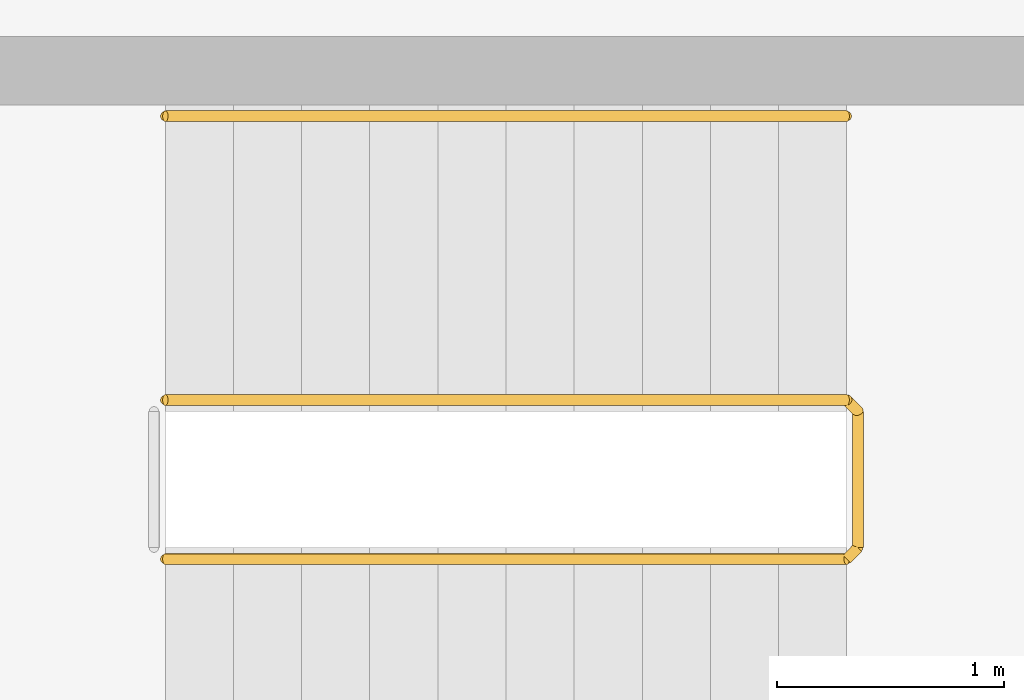
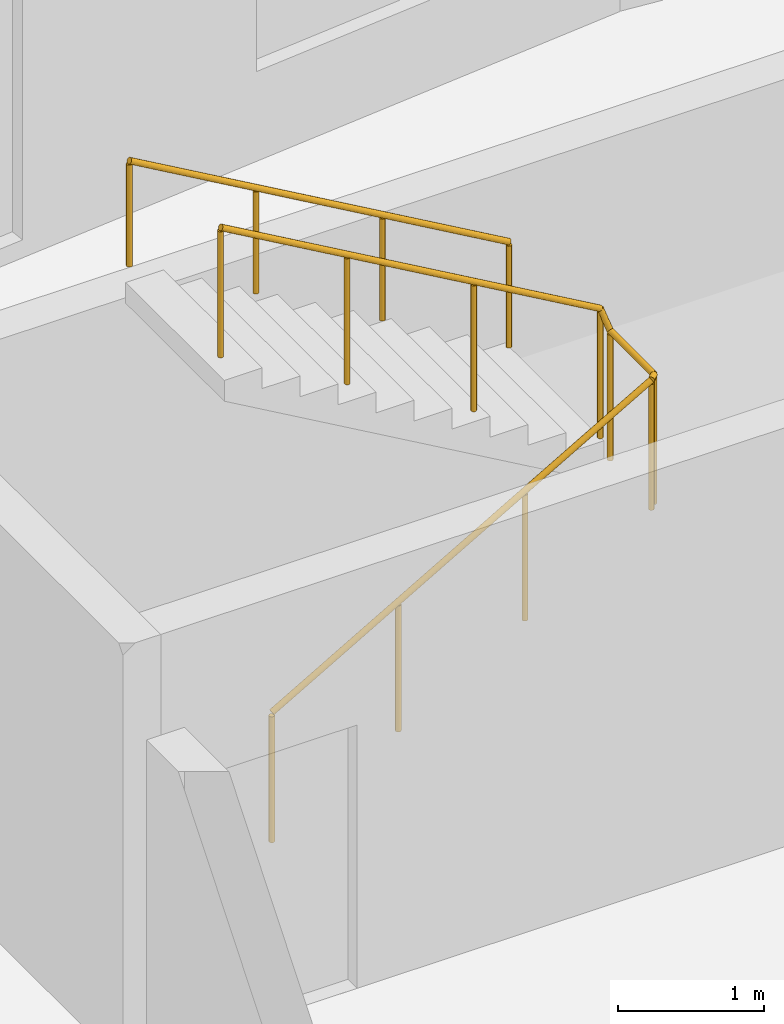
# One storey, part 10 of 10: 2 railings.
"""IFC4 building model written with IfcOpenShell, lengths in metres."""

import ifcopenshell
import ifcopenshell.guid

model = None  # the IFC model being written
_history = None  # IfcOwnerHistory: only IFC2X3 demands one
_inside = {}  # id of a spatial element -> (the spatial element, [elements in it])
_under = {}  # id of a project, library or spatial element -> (it, [spatial elements below it])
_declared = {}  # id of a project -> (the project, [libraries it declares])
_typed = {}  # id of a type object -> (the type object, [elements of that type])
_made_of = {}  # id of a material, layer set ... -> (it, [elements and type objects made of it])


def new_model(schema):
    """Start an empty IFC model of exactly this schema.

    Asked for "IFC4X3", IfcOpenShell would pick the latest addendum, in which some entities
    have other attributes; the version numbers below select the first issue.
    IFC2X3 requires an IfcOwnerHistory on every rooted entity: one is made here for all.
    """
    global model, _history
    if schema == "IFC4X3":
        model = ifcopenshell.file(schema_version=(4, 3, 0, 0))
    else:
        model = ifcopenshell.file(schema=schema)
    _inside.clear()
    _under.clear()
    _declared.clear()
    _typed.clear()
    _made_of.clear()
    _history = None
    if model.schema == "IFC2X3":
        org = make("IfcOrganization", Name="unknown")
        user = make(
            "IfcPersonAndOrganization",
            ThePerson=make("IfcPerson", FamilyName="unknown"),
            TheOrganization=org,
        )
        app = make(
            "IfcApplication",
            ApplicationDeveloper=org,
            Version="unknown",
            ApplicationFullName="unknown",
            ApplicationIdentifier="unknown",
        )
        _history = make(
            "IfcOwnerHistory",
            OwningUser=user,
            OwningApplication=app,
            ChangeAction="ADDED",
            CreationDate=0,
        )
    return model


def make(cls, **values):
    """One entity of the class cls with the attributes given. An attribute that is None is left unset."""
    return model.create_entity(
        cls, **{name: value for name, value in values.items() if value is not None}
    )


def rooted(cls, **values):
    """An entity with a GlobalId (a new one), such as an element, a storey or a relation."""
    return make(cls, GlobalId=ifcopenshell.guid.new(), OwnerHistory=_history, **values)


def si_unit(unit_type, name, prefix=None):
    """IfcSIUnit, for example si_unit("LENGTHUNIT", "METRE", prefix="MILLI")."""
    return make("IfcSIUnit", UnitType=unit_type, Prefix=prefix, Name=name)


def assignment(units):
    """IfcUnitAssignment: the units of a project."""
    return None if units is None else make("IfcUnitAssignment", Units=units)


def point(xyz):
    """IfcCartesianPoint."""
    return None if xyz is None else make("IfcCartesianPoint", Coordinates=xyz)


def direction(xyz):
    """IfcDirection."""
    return None if xyz is None else make("IfcDirection", DirectionRatios=xyz)


def frame(location, z_axis=None, x_axis=None):
    """IfcAxis2Placement3D, a coordinate frame: its origin and axes. An axis left out is left unset."""
    return make(
        "IfcAxis2Placement3D",
        Location=point(location),
        Axis=direction(z_axis),
        RefDirection=direction(x_axis),
    )


def frame_2d(location, x_axis=None):
    """IfcAxis2Placement2D, a coordinate frame in the plane: its origin and x axis."""
    return make(
        "IfcAxis2Placement2D", Location=point(location), RefDirection=direction(x_axis)
    )


def origin():
    """The frame at (0, 0, 0) with its axes left unset."""
    return frame((0.0, 0.0, 0.0))


def origin_2d():
    """The frame at (0, 0) in the plane with its x axis left unset."""
    return frame_2d((0.0, 0.0))


def place(relative_to, where):
    """IfcLocalPlacement: puts the frame where relative to a parent placement (None: the world)."""
    return make(
        "IfcLocalPlacement", PlacementRelTo=relative_to, RelativePlacement=where
    )


def context(
    kind, dimensions, precision=None, world=None, true_north=None, identifier=None
):
    """IfcGeometricRepresentationContext, for example the 3D "Model" context."""
    return make(
        "IfcGeometricRepresentationContext",
        ContextIdentifier=identifier,
        ContextType=kind,
        CoordinateSpaceDimension=dimensions,
        Precision=precision,
        WorldCoordinateSystem=world,
        TrueNorth=true_north,
    )


def subcontext(parent, identifier, kind, view, scale=None):
    """IfcGeometricRepresentationSubContext, for example "Body" below "Model"."""
    return make(
        "IfcGeometricRepresentationSubContext",
        ContextIdentifier=identifier,
        ContextType=kind,
        ParentContext=parent,
        TargetScale=scale,
        TargetView=view,
    )


def project(units=None, contexts=None):
    """IfcProject with its units and contexts."""
    return rooted(
        "IfcProject",
        Name="project",
        RepresentationContexts=contexts,
        UnitsInContext=assignment(units),
    )


def spatial(cls, under=None, at=None, **own):
    """A site, building, storey or space (cls), placed at a placement, below another one or the project."""
    s = rooted(cls, ObjectPlacement=at, **own)
    if under is not None:
        _under.setdefault(under.id(), (under, []))[1].append(s)
    return s


def profile(cls, at=None, kind="AREA", **sizes):
    """A parametric profile (cls). Its sizes go by their IFC names, for example OverallWidth=200.0."""
    return make(cls, ProfileType=kind, Position=at, **sizes)


def circle(**sizes):
    """IfcCircleProfileDef."""
    return profile("IfcCircleProfileDef", **sizes)


def extrude(swept, where, along, depth):
    """IfcExtrudedAreaSolid: the profile swept, set in the frame where, extruded along a direction by depth."""
    return make(
        "IfcExtrudedAreaSolid",
        SweptArea=swept,
        Position=where,
        ExtrudedDirection=direction(along),
        Depth=depth,
    )


def shape(context_of_items, identifier, shape_type, items):
    """IfcShapeRepresentation: the items that make up one representation, for example the "Body"."""
    return make(
        "IfcShapeRepresentation",
        ContextOfItems=context_of_items,
        RepresentationIdentifier=identifier,
        RepresentationType=shape_type,
        Items=items,
    )


def material(Name=None, Category=None):
    """IfcMaterial."""
    return make("IfcMaterial", Name=Name, Category=Category)


def made_of(thing, what):
    """Note that an element or type object is made of a material, layer set ...; save() writes the relation."""
    if what is not None:
        _made_of.setdefault(what.id(), (what, []))[1].append(thing)
    return thing


def type_object(cls, material=None, **own):
    """A type object (cls), such as IfcWallType, which elements share."""
    return made_of(rooted(cls, **own), material)


def element(
    cls,
    number,
    at=None,
    inside=None,
    cuts=None,
    type_object=None,
    material=None,
    context=None,
    identifier="Body",
    shape_type=None,
    held_by="IfcProductDefinitionShape",
    body=None,
    shapes=None,
    **own,
):
    """One element of the class cls, such as IfcWall. Its Tag is "e" and its number.

    at: its placement. inside: the storey or other place that contains it. cuts: it is an
    opening in that element (IfcRelVoidsElement). A single representation is given by context,
    identifier, shape_type and body (its items); several are given by shapes. held_by: the class
    of the entity that holds the representations. save() writes the other relations.
    """
    e = rooted(cls, Tag="e%d" % number, ObjectPlacement=at, **own)
    if body is not None:
        shapes = [shape(context, identifier, shape_type, body)]
    if shapes is not None:
        e.Representation = make(held_by, Representations=shapes)
    if inside is not None:
        _inside.setdefault(inside.id(), (inside, []))[1].append(e)
    if cuts is not None:
        rooted(
            "IfcRelVoidsElement", RelatingBuildingElement=cuts, RelatedOpeningElement=e
        )
    if type_object is not None:
        _typed.setdefault(type_object.id(), (type_object, []))[1].append(e)
    return made_of(e, material)


def aggregate(whole, parts):
    """IfcRelAggregates: a whole, such as a stair, and the parts it consists of."""
    return rooted("IfcRelAggregates", RelatingObject=whole, RelatedObjects=parts)


def save(model, path):
    """Write the relations noted so far, then the file.

    IfcRelAggregates (storeys below a building ...), IfcRelContainedInSpatialStructure (elements
    in a storey), IfcRelDefinesByType, IfcRelAssociatesMaterial and IfcRelDeclares: one each for
    every whole, place, type object, material and project.
    """
    for whole, parts in _under.values():
        aggregate(whole, parts)
    for where, things in _inside.values():
        rooted(
            "IfcRelContainedInSpatialStructure",
            RelatedElements=things,
            RelatingStructure=where,
        )
    for kind, things in _typed.values():
        rooted("IfcRelDefinesByType", RelatedObjects=things, RelatingType=kind)
    for what, things in _made_of.values():
        rooted("IfcRelAssociatesMaterial", RelatedObjects=things, RelatingMaterial=what)
    for by, libraries in _declared.values():
        rooted("IfcRelDeclares", RelatingContext=by, RelatedDefinitions=libraries)
    model.write(path)


model = new_model("IFC4")

# Units and contexts
model_context = context("Model", 3, precision=1e-05, world=origin(), true_north=direction((0.0, 1.0)))
body_context = subcontext(model_context, "Body", "Model", "MODEL_VIEW")
ifc_project = project(units=[si_unit("LENGTHUNIT", "METRE"), si_unit("AREAUNIT", "SQUARE_METRE"), si_unit("VOLUMEUNIT", "CUBIC_METRE"), si_unit("PLANEANGLEUNIT", "RADIAN"), si_unit("MASSUNIT", "GRAM", prefix="KILO")], contexts=[model_context])

# Site, building, storey
site_placement = place(None, origin())
site = spatial("IfcSite", under=ifc_project, at=site_placement, CompositionType="ELEMENT")
building_placement = place(site_placement, origin())
building = spatial("IfcBuilding", under=site, at=building_placement, Name="Brondeck Convention Tower", CompositionType="ELEMENT")
storey_placement = place(building_placement, frame((0.0, 0.0, 158.60009765625)))
storey = spatial("IfcBuildingStorey", under=building, at=storey_placement, Name="L38", CompositionType="ELEMENT", Elevation=158.60009765625)

# Railings
ifc_material = material(Name="Steel S355", Category="steel")
railing_type_1 = type_object("IfcRailingType", Name="Stair guard 1100", PredefinedType="GUARDRAIL", material=ifc_material)
railing_1_placement = place(storey_placement, frame((37.85009765625, 55.449951171875, 0.172607421875)))
element("IfcRailing", 1, at=railing_1_placement, inside=storey, type_object=railing_type_1, Name="L38 ST-AE stair guard 1", PredefinedType="GUARDRAIL", context=body_context, shape_type="SweptSolid", body=[
    extrude(circle(Radius=0.02392578125, at=origin_2d()), frame((0.0, 0.0, 1.076171875), z_axis=(0.866619684472, 0.0, 0.498969260062), x_axis=(0.0, 1.0, 0.0)), (0.0, 0.0, 1.0), 3.461669921875),
    extrude(circle(Radius=0.02392578125, at=origin_2d()), frame((3.0, 0.0, 2.80322265625), z_axis=(0.705375805398, 0.708833529934, 0.0), x_axis=(-0.708833529934, 0.705375805398, 0.0)), (0.0, 0.0, 1.0), 0.070556640625),
    extrude(circle(Radius=0.02392578125, at=origin_2d()), frame((3.0498046875, 0.050048828125, 2.80322265625), z_axis=(0.0, 1.0, 0.0), x_axis=(-1.0, 0.0, 0.0)), (0.0, 0.0, 1.0), 0.60009765625),
    extrude(circle(Radius=0.02392578125, at=origin_2d()), frame((3.0498046875, 0.650146484375, 2.80322265625), z_axis=(-0.26715648603, 0.26715648603, 0.925880566782), x_axis=(-0.707106781187, -0.707106781187, 0.0)), (0.0, 0.0, 1.0), 0.1865234375),
    extrude(circle(Radius=0.02392578125, at=origin_2d()), frame((3.0, 0.699951171875, 2.97607421875), z_axis=(-0.866619684472, 0.0, 0.498969260062), x_axis=(0.0, -1.0, 0.0)), (0.0, 0.0, 1.0), 3.461669921875),
    extrude(circle(Radius=0.02099609375, at=origin_2d()), origin(), (0.0, 0.0, 1.0), 1.052001953125),
    extrude(circle(Radius=0.02099609375, at=origin_2d()), frame((1.0, 0.0, 0.57568359375)), (0.0, 0.0, 1.0), 1.052001953125),
    extrude(circle(Radius=0.02099609375, at=origin_2d()), frame((2.0, 0.0, 1.151611328125)), (0.0, 0.0, 1.0), 1.052001953125),
    extrude(circle(Radius=0.02099609375, at=origin_2d()), frame((3.0, 0.0, 1.727294921875)), (0.0, 0.0, 1.0), 1.052001953125),
    extrude(circle(Radius=0.02099609375, at=origin_2d()), frame((3.0498046875, 0.050048828125, 1.727294921875)), (0.0, 0.0, 1.0), 1.052001953125),
    extrude(circle(Radius=0.02099609375, at=origin_2d()), frame((3.0498046875, 0.650146484375, 1.727294921875)), (0.0, 0.0, 1.0), 1.052001953125),
    extrude(circle(Radius=0.02099609375, at=origin_2d()), frame((3.0, 0.699951171875, 1.89990234375)), (0.0, 0.0, 1.0), 1.052001953125),
    extrude(circle(Radius=0.02099609375, at=origin_2d()), frame((2.0, 0.699951171875, 2.4755859375)), (0.0, 0.0, 1.0), 1.052001953125),
    extrude(circle(Radius=0.02099609375, at=origin_2d()), frame((1.0, 0.699951171875, 3.051513671875)), (0.0, 0.0, 1.0), 1.052001953125),
    extrude(circle(Radius=0.02099609375, at=origin_2d()), frame((0.0, 0.699951171875, 3.627197265625)), (0.0, 0.0, 1.0), 1.052001953125),
])
railing_type_2 = type_object("IfcRailingType", Name="Stair handrail", PredefinedType="HANDRAIL", material=ifc_material)
railing_2_placement = place(storey_placement, frame((40.85009765625, 57.39990234375, 2.072509765625)))
element("IfcRailing", 2, at=railing_2_placement, inside=storey, type_object=railing_type_2, Name="L38 ST-AE stair handrail 2", PredefinedType="HANDRAIL", context=body_context, shape_type="SweptSolid", body=[
    extrude(circle(Radius=0.02392578125, at=origin_2d()), frame((0.0, 0.0, 0.8759765625), z_axis=(-0.866619684472, 0.0, 0.498969260062), x_axis=(0.0, -1.0, 0.0)), (0.0, 0.0, 1.0), 3.461669921875),
    extrude(circle(Radius=0.02099609375, at=origin_2d()), origin(), (0.0, 0.0, 1.0), 0.851806640625),
    extrude(circle(Radius=0.02099609375, at=origin_2d()), frame((-1.0, 0.0, 0.57568359375)), (0.0, 0.0, 1.0), 0.851806640625),
    extrude(circle(Radius=0.02099609375, at=origin_2d()), frame((-2.0, 0.0, 1.151611328125)), (0.0, 0.0, 1.0), 0.851806640625),
    extrude(circle(Radius=0.02099609375, at=origin_2d()), frame((-3.0, 0.0, 1.727294921875)), (0.0, 0.0, 1.0), 0.851806640625),
])

save(model, "model.ifc")
